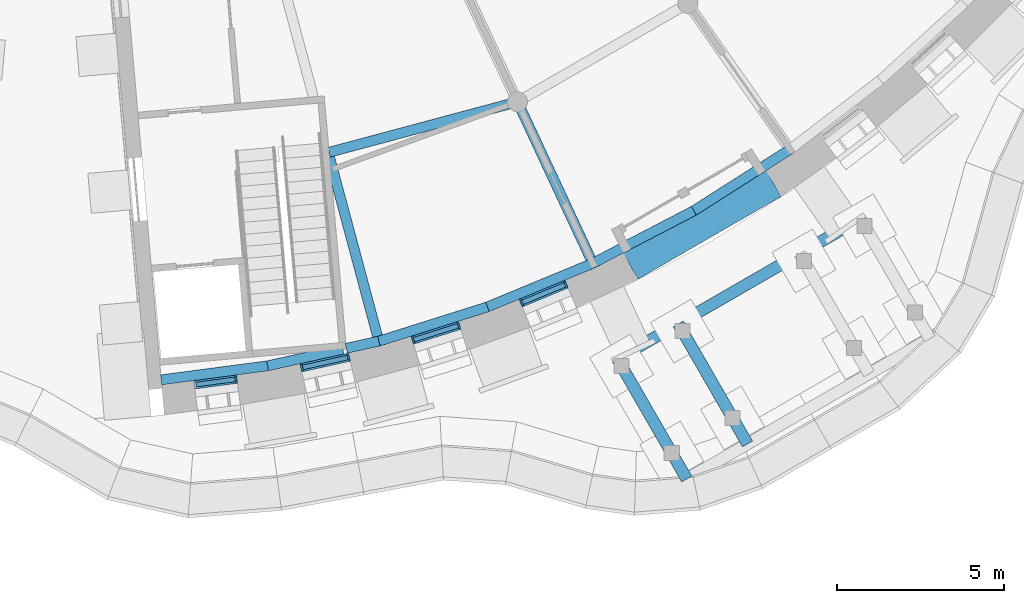
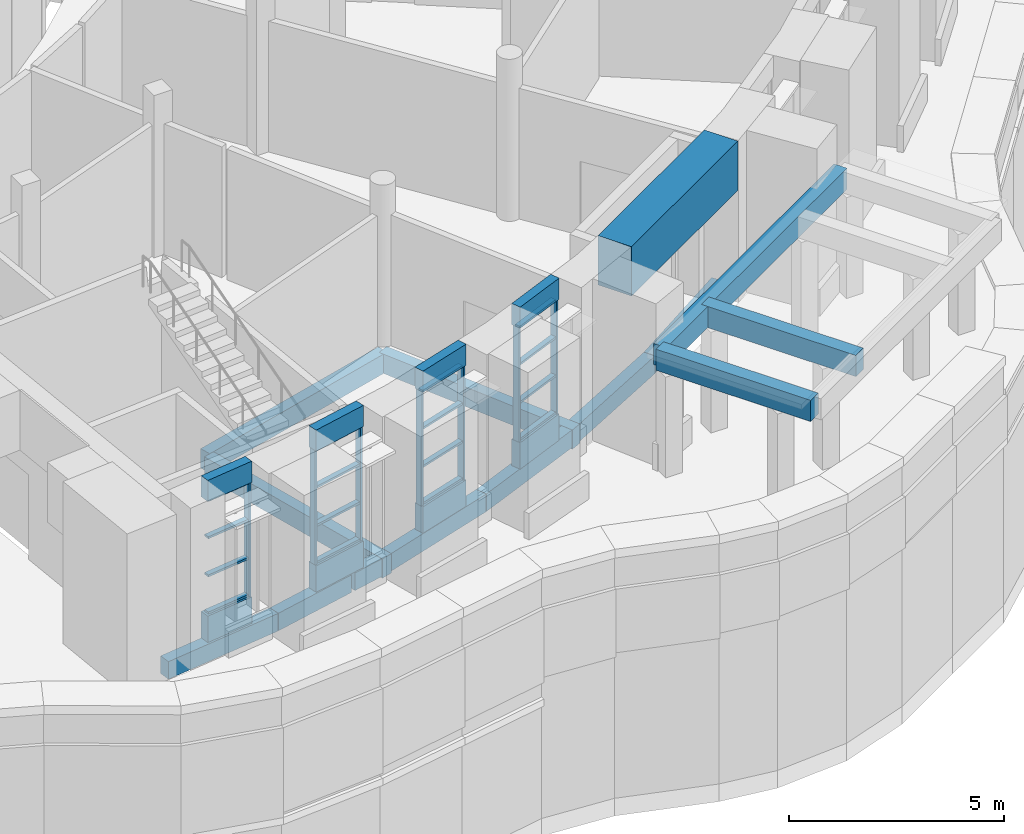
# One storey, part 4 of 85: 23 members, 22 beams, 4 elements without a shape of their own.
"""IFC4 building model written with IfcOpenShell, lengths in metres."""

from ifc_helpers import new_model, si_unit, direction, frame, origin, origin_2d, place, context, subcontext, project, spatial, rectangle, extrude, material, layer, layer_set, material_profile, profile_set, type_object, element, aggregate, save


model = new_model("IFC4")

# Units and contexts
model_context = context("Model", 3, precision=1e-05, world=origin(), true_north=direction((0.0, 1.0)))
body_context = subcontext(model_context, "Body", "Model", "MODEL_VIEW")
ifc_project = project(units=[si_unit("LENGTHUNIT", "METRE"), si_unit("AREAUNIT", "SQUARE_METRE"), si_unit("VOLUMEUNIT", "CUBIC_METRE"), si_unit("PLANEANGLEUNIT", "RADIAN"), si_unit("MASSUNIT", "GRAM", prefix="KILO")], contexts=[model_context])

# Site, building, storey
site_placement = place(None, origin())
site = spatial("IfcSite", under=ifc_project, at=site_placement, CompositionType="ELEMENT")
building_placement = place(site_placement, origin())
building = spatial("IfcBuilding", under=site, at=building_placement, Name="Volute Hill Aquarium", CompositionType="ELEMENT")
storey_placement = place(building_placement, origin())
storey = spatial("IfcBuildingStorey", under=building, at=storey_placement, Name="L01", CompositionType="ELEMENT", Elevation=0.0)

# Beams
ifc_material_1 = material(Name="Concrete C35/45", Category="concrete")
ifc_material_profile_1 = material_profile(ifc_material_1, rectangle(XDim=0.300048828125, YDim=0.550048828125, at=origin_2d()), Name="RC beam 300x550")
ifc_profile_set_1 = profile_set([ifc_material_profile_1], Name="Concrete C35/45")
beam_type_1 = type_object("IfcBeamType", Name="Beam 300x550 C35/45", PredefinedType="BEAM", material=ifc_profile_set_1)
beam_1_placement = place(storey_placement, frame((8.644775390625, -32.262939453125, -0.544921875), z_axis=(0.258834145375, -0.965921780057, 0.0), x_axis=(0.965921780057, 0.258834145375, 0.0)))
element("IfcBeam", 1, at=beam_1_placement, inside=storey, type_object=beam_type_1, Name="bm/S3/L01/rad1.3", PredefinedType="BEAM", context=body_context, shape_type="SweptSolid", body=[
    extrude(rectangle(XDim=0.300048828125, YDim=0.550048828125, at=origin_2d()), origin(), (0.0, 0.0, 1.0), 5.848876953125),
])
beam_2_placement = place(storey_placement, frame((14.2705078125, -30.60302734375, -0.544921875), z_axis=(0.422629512047, -0.906302540847, 0.0), x_axis=(0.906302540847, 0.422629512047, 0.0)))
element("IfcBeam", 2, at=beam_2_placement, inside=storey, type_object=beam_type_1, Name="bm/S3/L01/rad2.6", PredefinedType="BEAM", context=body_context, shape_type="SweptSolid", body=[
    extrude(rectangle(XDim=0.300048828125, YDim=0.550048828125, at=origin_2d()), origin(), (0.0, 0.0, 1.0), 5.483154296875),
])
beam_3_placement = place(storey_placement, frame((8.631591796875, -32.114013671875, -0.544921875), z_axis=(0.965923970462, 0.258825971043, 0.0), x_axis=(-0.258825971043, 0.965923970462, 0.0)))
element("IfcBeam", 3, at=beam_3_placement, inside=storey, type_object=beam_type_1, Name="bm/S3/L01/ring2.18", PredefinedType="BEAM", context=body_context, shape_type="SweptSolid", body=[
    extrude(rectangle(XDim=0.300048828125, YDim=0.550048828125, at=origin_2d()), origin(), (0.0, 0.0, 1.0), 5.837890625),
])
ifc_material_2 = material(Name="Concrete C35/45", Category="concrete")
ifc_material_profile_2 = material_profile(ifc_material_2, rectangle(XDim=0.35009765625, YDim=0.60009765625, at=origin_2d()), Name="RC edge beam 350x600")
ifc_profile_set_2 = profile_set([ifc_material_profile_2], Name="Concrete C35/45")
beam_type_2 = type_object("IfcBeamType", Name="Canopy edge beam RC 350x600", PredefinedType="BEAM", material=ifc_profile_set_2)
for number, where, z_axis, x_axis, name in (
    (4, (17.2626953125, -38.2998046875, 3.159912109375), (0.499992353047, -0.86602981871, 0.0), (0.86602981871, 0.499992353047, 0.0), "cn/S3/L01/b0"),
    (5, (19.081298828125, -37.25, 3.159912109375), (0.499992353047, -0.86602981871, 0.0), (0.86602981871, 0.499992353047, 0.0), "cn/S3/L01/b1"),
):
    element("IfcBeam", number, at=place(storey_placement, frame(where, z_axis=z_axis, x_axis=x_axis)), inside=storey, type_object=beam_type_2, Name=name, PredefinedType="BEAM", context=body_context, shape_type="SweptSolid", body=[
        extrude(rectangle(XDim=0.35009765625, YDim=0.60009765625, at=origin_2d()), origin(), (0.0, 0.0, 1.0), 4.14990234375),
    ])
beam_4_placement = place(storey_placement, frame((17.2626953125, -38.2998046875, 3.159912109375), z_axis=(0.86602925447, 0.499993330357, 0.0), x_axis=(-0.499993330357, 0.86602925447, 0.0)))
element("IfcBeam", 6, at=beam_4_placement, inside=storey, type_object=beam_type_2, Name="cn/S3/L01/xrear", PredefinedType="BEAM", context=body_context, shape_type="SweptSolid", body=[
    extrude(rectangle(XDim=0.35009765625, YDim=0.60009765625, at=origin_2d()), origin(), (0.0, 0.0, 1.0), 8.39990234375),
])

# Curtain wall, member
ifc_material_3 = material(Name="Aluminium", Category="aluminium")
ifc_layer_1 = layer(ifc_material_3, 0.25)
ifc_layer_set_1 = layer_set([ifc_layer_1], Name="Curtain wall niche S3 module 1289")
curtain_wall_type_1 = type_object("IfcCurtainWallType", Name="Curtain wall niche S3 module 1289", PredefinedType="NOTDEFINED", material=ifc_layer_set_1)
curtain_wall_1_placement = place(storey_placement, origin())
curtain_wall_1 = element("IfcCurtainWall", 7, at=curtain_wall_1_placement, inside=storey, type_object=curtain_wall_type_1, Name="Curtain wall CW S3 L01 1", PredefinedType="NOTDEFINED")
ifc_material_4 = material(Name="Aluminium", Category="aluminium")
ifc_material_profile_3 = material_profile(ifc_material_4, rectangle(XDim=0.179931640625, YDim=0.06005859375, at=origin_2d()), Name="Curtain wall mullion S3 60x180")
ifc_profile_set_3 = profile_set([ifc_material_profile_3], Name="Aluminium")
member_type_1 = type_object("IfcMemberType", Name="Curtain wall mullion S3 60x180", PredefinedType="MULLION", material=ifc_profile_set_3)
member_1_placement = place(storey_placement, frame((5.843017578125, -38.907470703125, 0.75), z_axis=(0.0, 0.0, 1.0), x_axis=(-0.130506486875, 0.991447455432, 0.0)))
member_1 = element("IfcMember", 8, at=member_1_placement, type_object=member_type_1, Name="CW mullion 2", PredefinedType="MULLION", context=body_context, shape_type="SweptSolid", body=[
    extrude(rectangle(XDim=0.179931640625, YDim=0.06005859375, at=origin_2d()), origin(), (0.0, 0.0, 1.0), 3.25),
])

# Curtain wall, members
ifc_material_5 = material(Name="Aluminium", Category="aluminium")
ifc_layer_2 = layer(ifc_material_5, 0.25)
ifc_layer_set_2 = layer_set([ifc_layer_2], Name="Curtain wall niche S3 module 1489")
curtain_wall_type_2 = type_object("IfcCurtainWallType", Name="Curtain wall niche S3 module 1489", PredefinedType="NOTDEFINED", material=ifc_layer_set_2)
curtain_wall_2_placement = place(storey_placement, origin())
curtain_wall_2 = element("IfcCurtainWall", 9, at=curtain_wall_2_placement, inside=storey, type_object=curtain_wall_type_2, Name="Curtain wall CW S3 L01 2", PredefinedType="NOTDEFINED")
member_2_placement = place(storey_placement, frame((7.81640625, -38.5595703125, 0.75), z_axis=(0.0, 0.0, 1.0), x_axis=(-0.216429178819, 0.976298320472, 0.0)))
member_2 = element("IfcMember", 10, at=member_2_placement, type_object=member_type_1, Name="CW mullion 1", PredefinedType="MULLION", context=body_context, shape_type="SweptSolid", body=[
    extrude(rectangle(XDim=0.179931640625, YDim=0.06005859375, at=origin_2d()), origin(), (0.0, 0.0, 1.0), 3.25),
])
member_3_placement = place(storey_placement, frame((9.211669921875, -38.250244140625, 0.75), z_axis=(0.0, 0.0, 1.0), x_axis=(-0.216429178819, 0.976298320472, 0.0)))
member_3 = element("IfcMember", 11, at=member_3_placement, type_object=member_type_1, Name="CW mullion 2", PredefinedType="MULLION", context=body_context, shape_type="SweptSolid", body=[
    extrude(rectangle(XDim=0.179931640625, YDim=0.06005859375, at=origin_2d()), origin(), (0.0, 0.0, 1.0), 3.25),
])

curtain_wall_3_placement = place(storey_placement, origin())
curtain_wall_3 = element("IfcCurtainWall", 12, at=curtain_wall_3_placement, inside=storey, type_object=curtain_wall_type_2, Name="Curtain wall CW S3 L01 3", PredefinedType="NOTDEFINED")
member_4_placement = place(storey_placement, frame((11.147216796875, -37.7314453125, 0.75), z_axis=(0.0, 0.0, 1.0), x_axis=(-0.300712597453, 0.953714807337, 0.0)))
member_4 = element("IfcMember", 13, at=member_4_placement, type_object=member_type_1, Name="CW mullion 1", PredefinedType="MULLION", context=body_context, shape_type="SweptSolid", body=[
    extrude(rectangle(XDim=0.179931640625, YDim=0.06005859375, at=origin_2d()), origin(), (0.0, 0.0, 1.0), 3.25),
])
member_5_placement = place(storey_placement, frame((12.510498046875, -37.3017578125, 0.75), z_axis=(0.0, 0.0, 1.0), x_axis=(-0.300712597453, 0.953714807337, 0.0)))
member_5 = element("IfcMember", 14, at=member_5_placement, type_object=member_type_1, Name="CW mullion 2", PredefinedType="MULLION", context=body_context, shape_type="SweptSolid", body=[
    extrude(rectangle(XDim=0.179931640625, YDim=0.06005859375, at=origin_2d()), origin(), (0.0, 0.0, 1.0), 3.25),
])

curtain_wall_4_placement = place(storey_placement, origin())
curtain_wall_4 = element("IfcCurtainWall", 15, at=curtain_wall_4_placement, inside=storey, type_object=curtain_wall_type_2, Name="Curtain wall CW S3 L01 4", PredefinedType="NOTDEFINED")
member_6_placement = place(storey_placement, frame((14.3935546875, -36.6162109375, 0.75), z_axis=(0.0, 0.0, 1.0), x_axis=(-0.382692594649, 0.923875737316, 0.0)))
member_6 = element("IfcMember", 16, at=member_6_placement, type_object=member_type_1, Name="CW mullion 1", PredefinedType="MULLION", context=body_context, shape_type="SweptSolid", body=[
    extrude(rectangle(XDim=0.179931640625, YDim=0.06005859375, at=origin_2d()), origin(), (0.0, 0.0, 1.0), 3.25),
])
member_7_placement = place(storey_placement, frame((15.7138671875, -36.0693359375, 0.75), z_axis=(0.0, 0.0, 1.0), x_axis=(-0.382692594649, 0.923875737316, 0.0)))
member_7 = element("IfcMember", 17, at=member_7_placement, type_object=member_type_1, Name="CW mullion 2", PredefinedType="MULLION", context=body_context, shape_type="SweptSolid", body=[
    extrude(rectangle(XDim=0.179931640625, YDim=0.06005859375, at=origin_2d()), origin(), (0.0, 0.0, 1.0), 3.25),
])

# Member
ifc_material_6 = material(Name="Aluminium", Category="aluminium")
ifc_material_profile_4 = material_profile(ifc_material_6, rectangle(XDim=0.139892578125, YDim=0.06005859375, at=origin_2d()), Name="Curtain wall transom S3 60x140")
ifc_profile_set_4 = profile_set([ifc_material_profile_4], Name="Aluminium")
member_type_2 = type_object("IfcMemberType", Name="Curtain wall transom S3 60x140", PredefinedType="USERDEFINED", material=ifc_profile_set_4)
member_8_placement = place(storey_placement, frame((4.654296875, -39.06396484375, 0.780029296875), z_axis=(0.991443629013, 0.130535552588, 0.0), x_axis=(-0.130535552588, 0.991443629013, 0.0)))
member_8 = element("IfcMember", 18, at=member_8_placement, type_object=member_type_2, Name="CW transom 1.1", ObjectType="TRANSOM", PredefinedType="USERDEFINED", context=body_context, shape_type="SweptSolid", body=[
    extrude(rectangle(XDim=0.139892578125, YDim=0.06005859375, at=origin_2d()), origin(), (0.0, 0.0, 1.0), 1.1689453125),
])

member_9_placement = place(storey_placement, frame((4.654296875, -39.06396484375, 1.833251953125), z_axis=(0.991443629013, 0.130535552588, 0.0), x_axis=(-0.130535552588, 0.991443629013, 0.0)))
member_9 = element("IfcMember", 19, at=member_9_placement, type_object=member_type_2, Name="CW transom 1.2", ObjectType="TRANSOM", PredefinedType="USERDEFINED", context=body_context, shape_type="SweptSolid", body=[
    extrude(rectangle(XDim=0.139892578125, YDim=0.06005859375, at=origin_2d()), origin(), (0.0, 0.0, 1.0), 1.1689453125),
])

member_10_placement = place(storey_placement, frame((4.654296875, -39.06396484375, 2.916748046875), z_axis=(0.991443629013, 0.130535552588, 0.0), x_axis=(-0.130535552588, 0.991443629013, 0.0)))
member_10 = element("IfcMember", 20, at=member_10_placement, type_object=member_type_2, Name="CW transom 1.3", ObjectType="TRANSOM", PredefinedType="USERDEFINED", context=body_context, shape_type="SweptSolid", body=[
    extrude(rectangle(XDim=0.139892578125, YDim=0.06005859375, at=origin_2d()), origin(), (0.0, 0.0, 1.0), 1.1689453125),
])

member_11_placement = place(storey_placement, frame((4.654296875, -39.06396484375, 3.969970703125), z_axis=(0.991443629013, 0.130535552588, 0.0), x_axis=(-0.130535552588, 0.991443629013, 0.0)))
member_11 = element("IfcMember", 21, at=member_11_placement, type_object=member_type_2, Name="CW transom 1.4", ObjectType="TRANSOM", PredefinedType="USERDEFINED", context=body_context, shape_type="SweptSolid", body=[
    extrude(rectangle(XDim=0.139892578125, YDim=0.06005859375, at=origin_2d()), origin(), (0.0, 0.0, 1.0), 1.1689453125),
])

aggregate(curtain_wall_1, [member_1, member_8, member_9, member_10, member_11])

member_12_placement = place(storey_placement, frame((7.845703125, -38.552978515625, 0.780029296875), z_axis=(0.976287651886, 0.216477298519, 0.0), x_axis=(-0.216477298519, 0.976287651886, 0.0)))
member_12 = element("IfcMember", 22, at=member_12_placement, type_object=member_type_2, Name="CW transom 1.1", ObjectType="TRANSOM", PredefinedType="USERDEFINED", context=body_context, shape_type="SweptSolid", body=[
    extrude(rectangle(XDim=0.139892578125, YDim=0.06005859375, at=origin_2d()), origin(), (0.0, 0.0, 1.0), 1.369140625),
])

member_13_placement = place(storey_placement, frame((7.845703125, -38.552978515625, 1.833251953125), z_axis=(0.976287651886, 0.216477298519, 0.0), x_axis=(-0.216477298519, 0.976287651886, 0.0)))
member_13 = element("IfcMember", 23, at=member_13_placement, type_object=member_type_2, Name="CW transom 1.2", ObjectType="TRANSOM", PredefinedType="USERDEFINED", context=body_context, shape_type="SweptSolid", body=[
    extrude(rectangle(XDim=0.139892578125, YDim=0.06005859375, at=origin_2d()), origin(), (0.0, 0.0, 1.0), 1.369140625),
])

member_14_placement = place(storey_placement, frame((7.845703125, -38.552978515625, 2.916748046875), z_axis=(0.976287651886, 0.216477298519, 0.0), x_axis=(-0.216477298519, 0.976287651886, 0.0)))
member_14 = element("IfcMember", 24, at=member_14_placement, type_object=member_type_2, Name="CW transom 1.3", ObjectType="TRANSOM", PredefinedType="USERDEFINED", context=body_context, shape_type="SweptSolid", body=[
    extrude(rectangle(XDim=0.139892578125, YDim=0.06005859375, at=origin_2d()), origin(), (0.0, 0.0, 1.0), 1.369140625),
])

member_15_placement = place(storey_placement, frame((7.845703125, -38.552978515625, 3.969970703125), z_axis=(0.976287651886, 0.216477298519, 0.0), x_axis=(-0.216477298519, 0.976287651886, 0.0)))
member_15 = element("IfcMember", 25, at=member_15_placement, type_object=member_type_2, Name="CW transom 1.4", ObjectType="TRANSOM", PredefinedType="USERDEFINED", context=body_context, shape_type="SweptSolid", body=[
    extrude(rectangle(XDim=0.139892578125, YDim=0.06005859375, at=origin_2d()), origin(), (0.0, 0.0, 1.0), 1.369140625),
])

aggregate(curtain_wall_2, [member_2, member_3, member_12, member_13, member_14, member_15])

member_16_placement = place(storey_placement, frame((11.176025390625, -37.722412109375, 0.780029296875), z_axis=(0.953728095538, 0.300670450463, 0.0), x_axis=(-0.300670450463, 0.953728095538, 0.0)))
member_16 = element("IfcMember", 26, at=member_16_placement, type_object=member_type_2, Name="CW transom 1.1", ObjectType="TRANSOM", PredefinedType="USERDEFINED", context=body_context, shape_type="SweptSolid", body=[
    extrude(rectangle(XDim=0.139892578125, YDim=0.06005859375, at=origin_2d()), origin(), (0.0, 0.0, 1.0), 1.368896484375),
])

member_17_placement = place(storey_placement, frame((11.176025390625, -37.722412109375, 1.833251953125), z_axis=(0.953728095538, 0.300670450463, 0.0), x_axis=(-0.300670450463, 0.953728095538, 0.0)))
member_17 = element("IfcMember", 27, at=member_17_placement, type_object=member_type_2, Name="CW transom 1.2", ObjectType="TRANSOM", PredefinedType="USERDEFINED", context=body_context, shape_type="SweptSolid", body=[
    extrude(rectangle(XDim=0.139892578125, YDim=0.06005859375, at=origin_2d()), origin(), (0.0, 0.0, 1.0), 1.368896484375),
])

member_18_placement = place(storey_placement, frame((11.176025390625, -37.722412109375, 2.916748046875), z_axis=(0.953728095538, 0.300670450463, 0.0), x_axis=(-0.300670450463, 0.953728095538, 0.0)))
member_18 = element("IfcMember", 28, at=member_18_placement, type_object=member_type_2, Name="CW transom 1.3", ObjectType="TRANSOM", PredefinedType="USERDEFINED", context=body_context, shape_type="SweptSolid", body=[
    extrude(rectangle(XDim=0.139892578125, YDim=0.06005859375, at=origin_2d()), origin(), (0.0, 0.0, 1.0), 1.368896484375),
])

member_19_placement = place(storey_placement, frame((11.176025390625, -37.722412109375, 3.969970703125), z_axis=(0.953728095538, 0.300670450463, 0.0), x_axis=(-0.300670450463, 0.953728095538, 0.0)))
member_19 = element("IfcMember", 29, at=member_19_placement, type_object=member_type_2, Name="CW transom 1.4", ObjectType="TRANSOM", PredefinedType="USERDEFINED", context=body_context, shape_type="SweptSolid", body=[
    extrude(rectangle(XDim=0.139892578125, YDim=0.06005859375, at=origin_2d()), origin(), (0.0, 0.0, 1.0), 1.368896484375),
])

aggregate(curtain_wall_3, [member_4, member_5, member_16, member_17, member_18, member_19])

member_20_placement = place(storey_placement, frame((14.421142578125, -36.604736328125, 0.780029296875), z_axis=(0.923908190995, 0.382614237336, 0.0), x_axis=(-0.382614237336, 0.923908190995, 0.0)))
member_20 = element("IfcMember", 30, at=member_20_placement, type_object=member_type_2, Name="CW transom 1.1", ObjectType="TRANSOM", PredefinedType="USERDEFINED", context=body_context, shape_type="SweptSolid", body=[
    extrude(rectangle(XDim=0.139892578125, YDim=0.06005859375, at=origin_2d()), origin(), (0.0, 0.0, 1.0), 1.369384765625),
])

member_21_placement = place(storey_placement, frame((14.421142578125, -36.604736328125, 1.833251953125), z_axis=(0.923908190995, 0.382614237336, 0.0), x_axis=(-0.382614237336, 0.923908190995, 0.0)))
member_21 = element("IfcMember", 31, at=member_21_placement, type_object=member_type_2, Name="CW transom 1.2", ObjectType="TRANSOM", PredefinedType="USERDEFINED", context=body_context, shape_type="SweptSolid", body=[
    extrude(rectangle(XDim=0.139892578125, YDim=0.06005859375, at=origin_2d()), origin(), (0.0, 0.0, 1.0), 1.369384765625),
])

member_22_placement = place(storey_placement, frame((14.421142578125, -36.604736328125, 2.916748046875), z_axis=(0.923908190995, 0.382614237336, 0.0), x_axis=(-0.382614237336, 0.923908190995, 0.0)))
member_22 = element("IfcMember", 32, at=member_22_placement, type_object=member_type_2, Name="CW transom 1.3", ObjectType="TRANSOM", PredefinedType="USERDEFINED", context=body_context, shape_type="SweptSolid", body=[
    extrude(rectangle(XDim=0.139892578125, YDim=0.06005859375, at=origin_2d()), origin(), (0.0, 0.0, 1.0), 1.369384765625),
])

member_23_placement = place(storey_placement, frame((14.421142578125, -36.604736328125, 3.969970703125), z_axis=(0.923908190995, 0.382614237336, 0.0), x_axis=(-0.382614237336, 0.923908190995, 0.0)))
member_23 = element("IfcMember", 33, at=member_23_placement, type_object=member_type_2, Name="CW transom 1.4", ObjectType="TRANSOM", PredefinedType="USERDEFINED", context=body_context, shape_type="SweptSolid", body=[
    extrude(rectangle(XDim=0.139892578125, YDim=0.06005859375, at=origin_2d()), origin(), (0.0, 0.0, 1.0), 1.369384765625),
])

aggregate(curtain_wall_4, [member_6, member_7, member_20, member_21, member_22, member_23])

# Beams
ifc_material_7 = material(Name="Concrete C35/45", Category="concrete")
ifc_material_profile_5 = material_profile(ifc_material_7, rectangle(XDim=0.300048828125, YDim=0.5, at=origin_2d()), Name="RC edge beam 300x500")
ifc_profile_set_5 = profile_set([ifc_material_profile_5], Name="Concrete C35/45")
beam_type_3 = type_object("IfcBeamType", Name="Edge beam 300x500 C35/45", PredefinedType="BEAM", material=ifc_profile_set_5)
beam_5_placement = place(storey_placement, frame((3.606201171875, -38.925048828125, -0.52001953125), z_axis=(0.991441091468, 0.1305548243, 0.0), x_axis=(-0.1305548243, 0.991441091468, 0.0)))
element("IfcBeam", 34, at=beam_5_placement, inside=storey, type_object=beam_type_3, Name="bm/S3/L01/edgeO.31", PredefinedType="BEAM", context=body_context, shape_type="SweptSolid", body=[
    extrude(rectangle(XDim=0.300048828125, YDim=0.5, at=origin_2d()), origin(), (0.0, 0.0, 1.0), 3.2109375),
])
beam_6_placement = place(storey_placement, frame((6.78955078125, -38.505859375, -0.52001953125), z_axis=(0.976298987217, 0.21642617115, 0.0), x_axis=(-0.21642617115, 0.976298987217, 0.0)))
element("IfcBeam", 35, at=beam_6_placement, inside=storey, type_object=beam_type_3, Name="bm/S3/L01/edgeO.32", PredefinedType="BEAM", context=body_context, shape_type="SweptSolid", body=[
    extrude(rectangle(XDim=0.300048828125, YDim=0.5, at=origin_2d()), origin(), (0.0, 0.0, 1.0), 2.306884765625),
])
beam_7_placement = place(storey_placement, frame((9.145263671875, -37.983642578125, -0.52001953125), z_axis=(0.976296270331, 0.216438426664, 0.0), x_axis=(-0.216438426664, 0.976296270331, 0.0)))
element("IfcBeam", 36, at=beam_7_placement, inside=storey, type_object=beam_type_3, Name="bm/S3/L01/edgeO.33", PredefinedType="BEAM", context=body_context, shape_type="SweptSolid", body=[
    extrude(rectangle(XDim=0.300048828125, YDim=0.5, at=origin_2d()), origin(), (0.0, 0.0, 1.0), 0.998291015625),
])
beam_8_placement = place(storey_placement, frame((10.119873046875, -37.767578125, -0.52001953125), z_axis=(0.953697264074, 0.300768230534, 0.0), x_axis=(-0.300768230534, 0.953697264074, 0.0)))
element("IfcBeam", 37, at=beam_8_placement, inside=storey, type_object=beam_type_3, Name="bm/S3/L01/edgeO.34", PredefinedType="BEAM", context=body_context, shape_type="SweptSolid", body=[
    extrude(rectangle(XDim=0.300048828125, YDim=0.5, at=origin_2d()), origin(), (0.0, 0.0, 1.0), 3.410888671875),
])
beam_9_placement = place(storey_placement, frame((13.372802734375, -36.74169921875, -0.52001953125), z_axis=(0.923906931346, 0.382617279028, 0.0), x_axis=(-0.382617279028, 0.923906931346, 0.0)))
element("IfcBeam", 38, at=beam_9_placement, inside=storey, type_object=beam_type_3, Name="bm/S3/L01/edgeO.35", PredefinedType="BEAM", context=body_context, shape_type="SweptSolid", body=[
    extrude(rectangle(XDim=0.300048828125, YDim=0.5, at=origin_2d()), origin(), (0.0, 0.0, 1.0), 3.4111328125),
])
beam_10_placement = place(storey_placement, frame((16.5244140625, -35.4365234375, -0.52001953125), z_axis=(0.887006930768, 0.461756109618, 0.0), x_axis=(-0.461756109618, 0.887006930768, 0.0)))
element("IfcBeam", 39, at=beam_10_placement, inside=storey, type_object=beam_type_3, Name="bm/S3/L01/edgeO.36", PredefinedType="BEAM", context=body_context, shape_type="SweptSolid", body=[
    extrude(rectangle(XDim=0.300048828125, YDim=0.5, at=origin_2d()), origin(), (0.0, 0.0, 1.0), 3.410888671875),
])
beam_11_placement = place(storey_placement, frame((19.5498046875, -33.861572265625, -0.52001953125), z_axis=(0.843399098385, 0.537287596026, 0.0), x_axis=(-0.537287596026, 0.843399098385, 0.0)))
element("IfcBeam", 40, at=beam_11_placement, inside=storey, type_object=beam_type_3, Name="bm/S3/L01/edgeO.37", PredefinedType="BEAM", context=body_context, shape_type="SweptSolid", body=[
    extrude(rectangle(XDim=0.300048828125, YDim=0.5, at=origin_2d()), origin(), (0.0, 0.0, 1.0), 3.4111328125),
])
ifc_material_8 = material(Name="Concrete C35/45", Category="concrete")
ifc_material_profile_6 = material_profile(ifc_material_8, rectangle(XDim=0.25, YDim=0.60009765625, at=origin_2d()), Name="RC beam 250x600")
ifc_profile_set_6 = profile_set([ifc_material_profile_6], Name="Concrete C35/45")
beam_type_4 = type_object("IfcBeamType", Name="Niche head beam RC 250x600 C35/45", PredefinedType="BEAM", material=ifc_profile_set_6)
beam_12_placement = place(storey_placement, frame((4.5947265625, -39.07177734375, 4.300048828125), z_axis=(0.991449782625, 0.130488806156, 0.0), x_axis=(-0.130488806156, 0.991449782625, 0.0)))
element("IfcBeam", 41, at=beam_12_placement, inside=storey, type_object=beam_type_4, Name="Niche head beam OWB S3 L01 1", PredefinedType="BEAM", context=body_context, shape_type="SweptSolid", body=[
    extrude(rectangle(XDim=0.25, YDim=0.60009765625, at=origin_2d()), origin(), (0.0, 0.0, 1.0), 1.2890625),
])
for number, where, z_axis, x_axis, name in (
    (42, (7.787109375, -38.56591796875, 4.300048828125), (0.976302648363, 0.216409655053, 0.0), (-0.216409655053, 0.976302648363, 0.0), "Niche head beam OWB S3 L01 2"),
    (43, (11.11865234375, -37.740478515625, 4.300048828125), (0.953736146643, 0.300644911128, 0.0), (-0.300644911128, 0.953736146643, 0.0), "Niche head beam OWB S3 L01 3"),
    (44, (14.36572265625, -36.627685546875, 4.300048828125), (0.923908951424, 0.382612401104, 0.0), (-0.382612401104, 0.923908951424, 0.0), "Niche head beam OWB S3 L01 4"),
):
    element("IfcBeam", number, at=place(storey_placement, frame(where, z_axis=z_axis, x_axis=x_axis)), inside=storey, type_object=beam_type_4, Name=name, PredefinedType="BEAM", context=body_context, shape_type="SweptSolid", body=[
        extrude(rectangle(XDim=0.25, YDim=0.60009765625, at=origin_2d()), origin(), (0.0, 0.0, 1.0), 1.4892578125),
    ])
ifc_material_9 = material(Name="Concrete C35/45", Category="concrete")
ifc_material_profile_7 = material_profile(ifc_material_9, rectangle(XDim=0.25, YDim=0.75, at=origin_2d()), Name="RC beam 250x750")
ifc_profile_set_7 = profile_set([ifc_material_profile_7], Name="Concrete C35/45")
beam_type_5 = type_object("IfcBeamType", Name="Niche sill beam RC 250x750 C35/45", PredefinedType="BEAM", material=ifc_profile_set_7)
beam_13_placement = place(storey_placement, frame((4.5947265625, -39.07177734375, 0.375), z_axis=(0.991449782625, 0.130488806156, 0.0), x_axis=(-0.130488806156, 0.991449782625, 0.0)))
element("IfcBeam", 45, at=beam_13_placement, inside=storey, type_object=beam_type_5, Name="Niche sill beam OWB S3 L01 1", PredefinedType="BEAM", context=body_context, shape_type="SweptSolid", body=[
    extrude(rectangle(XDim=0.25, YDim=0.75, at=origin_2d()), origin(), (0.0, 0.0, 1.0), 1.2890625),
])
for number, where, z_axis, x_axis, name in (
    (46, (7.787109375, -38.56591796875, 0.375), (0.976302648363, 0.216409655053, 0.0), (-0.216409655053, 0.976302648363, 0.0), "Niche sill beam OWB S3 L01 2"),
    (47, (11.11865234375, -37.740478515625, 0.375), (0.953736146643, 0.300644911128, 0.0), (-0.300644911128, 0.953736146643, 0.0), "Niche sill beam OWB S3 L01 3"),
    (48, (14.36572265625, -36.627685546875, 0.375), (0.923908951424, 0.382612401104, 0.0), (-0.382612401104, 0.923908951424, 0.0), "Niche sill beam OWB S3 L01 4"),
):
    element("IfcBeam", number, at=place(storey_placement, frame(where, z_axis=z_axis, x_axis=x_axis)), inside=storey, type_object=beam_type_5, Name=name, PredefinedType="BEAM", context=body_context, shape_type="SweptSolid", body=[
        extrude(rectangle(XDim=0.25, YDim=0.75, at=origin_2d()), origin(), (0.0, 0.0, 1.0), 1.4892578125),
    ])
ifc_material_10 = material(Name="Concrete C35/45", Category="concrete")
ifc_material_profile_8 = material_profile(ifc_material_10, rectangle(XDim=0.89990234375, YDim=1.39990234375, at=origin_2d()), Name="RC beam 900x1400")
ifc_profile_set_8 = profile_set([ifc_material_profile_8], Name="Concrete C35/45")
beam_type_6 = type_object("IfcBeamType", Name="Portal lintel beam RC 900x1400 C35/45", PredefinedType="BEAM", material=ifc_profile_set_8)
beam_14_placement = place(storey_placement, frame((17.6533203125, -35.524658203125, 3.89990234375), z_axis=(0.866039332103, 0.499975874669, 0.0), x_axis=(-0.499975874669, 0.866039332103, 0.0)))
element("IfcBeam", 49, at=beam_14_placement, inside=storey, type_object=beam_type_6, Name="Portal lintel beam PLB S3 L01", PredefinedType="BEAM", context=body_context, shape_type="SweptSolid", body=[
    extrude(rectangle(XDim=0.89990234375, YDim=1.39990234375, at=origin_2d()), origin(), (0.0, 0.0, 1.0), 4.947998046875),
])

save(model, "model.ifc")
